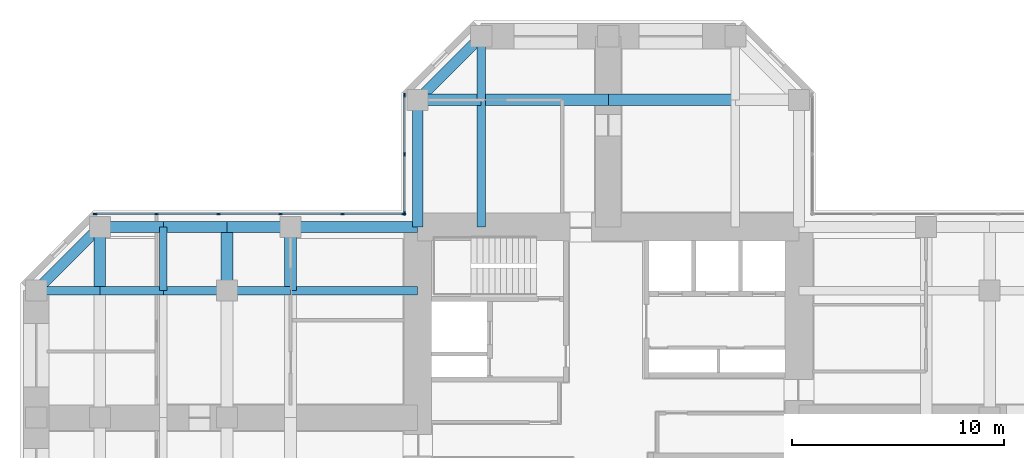
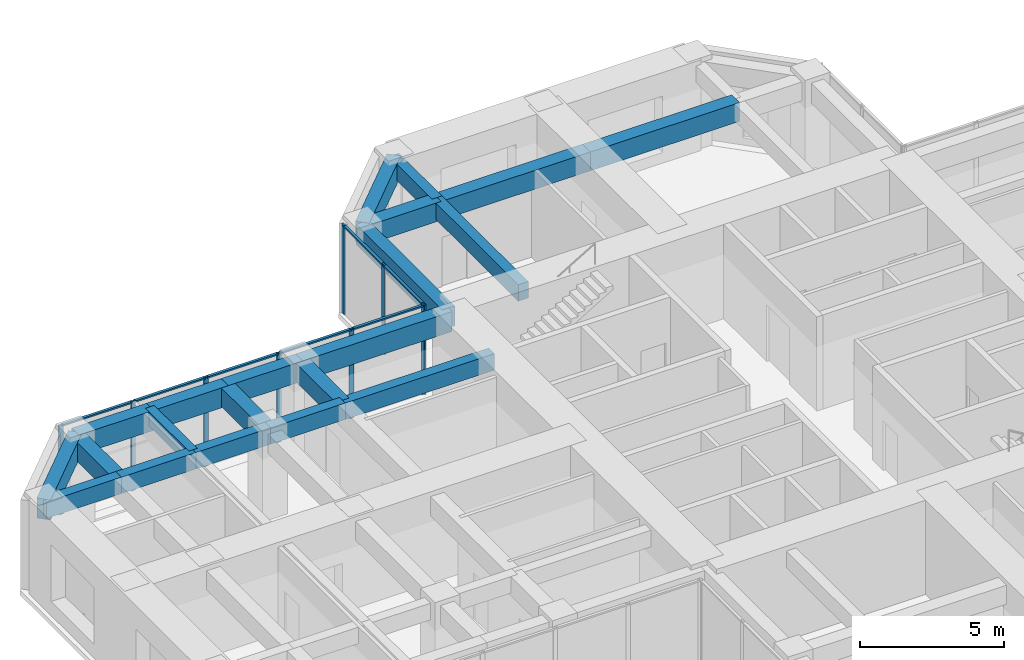
# One storey, part 5 of 13: 21 beams, 16 members, 2 elements without a shape of their own.
"""IFC4 building model written with IfcOpenShell, lengths in metres."""

from ifc_helpers import new_model, si_unit, direction, frame, origin, origin_2d, place, context, subcontext, project, spatial, rectangle, extrude, material, material_profile, profile_set, type_object, element, aggregate, save


model = new_model("IFC4")

# Units and contexts
model_context = context("Model", 3, precision=1e-05, world=origin(), true_north=direction((0.0, 1.0)))
body_context = subcontext(model_context, "Body", "Model", "MODEL_VIEW")
ifc_project = project(units=[si_unit("LENGTHUNIT", "METRE"), si_unit("AREAUNIT", "SQUARE_METRE"), si_unit("VOLUMEUNIT", "CUBIC_METRE"), si_unit("PLANEANGLEUNIT", "RADIAN"), si_unit("MASSUNIT", "GRAM", prefix="KILO")], contexts=[model_context])

# Site, building, storey
site_placement = place(None, origin())
site = spatial("IfcSite", under=ifc_project, at=site_placement, CompositionType="ELEMENT")
building_placement = place(site_placement, origin())
building = spatial("IfcBuilding", under=site, at=building_placement, Name="Torre Cruceta", CompositionType="ELEMENT")
storey_placement = place(building_placement, frame((0.0, 0.0, 124.5)))
storey = spatial("IfcBuildingStorey", under=building, at=storey_placement, Name="L30", CompositionType="ELEMENT", Elevation=124.5)

# Beams
ifc_material_1 = material(Name="Concrete G60 (fck 60 MPa)", Category="concrete")
ifc_material_profile_1 = material_profile(ifc_material_1, rectangle(XDim=0.39990234375, YDim=0.699951171875, at=origin_2d()), Name="RC 400X700")
ifc_profile_set_1 = profile_set([ifc_material_profile_1], Name="Concrete G60 (fck 60 MPa)")
beam_type_1 = type_object("IfcBeamType", Name="COLUMN LINE BEAM RC 400X700", PredefinedType="BEAM", material=ifc_profile_set_1)
beam_1_placement = place(storey_placement, frame((-6.0, 9.0, 3.449951171875), z_axis=(0.0, 1.0, 0.0), x_axis=(-1.0, 0.0, 0.0)))
element("IfcBeam", 1, at=beam_1_placement, inside=storey, type_object=beam_type_1, Name="LB5 L30 N col+ 1", PredefinedType="BEAM", context=body_context, shape_type="SweptSolid", body=[
    extrude(rectangle(XDim=0.39990234375, YDim=0.699951171875, at=origin_2d()), origin(), (0.0, 0.0, 1.0), 6.0),
])
beam_2_placement = place(storey_placement, frame((-6.0, 15.0, 3.449951171875), z_axis=(0.0, 1.0, 0.0), x_axis=(-1.0, 0.0, 0.0)))
element("IfcBeam", 2, at=beam_2_placement, inside=storey, type_object=beam_type_1, Name="LB5 L30 N col+ 2", PredefinedType="BEAM", context=body_context, shape_type="SweptSolid", body=[
    extrude(rectangle(XDim=0.39990234375, YDim=0.699951171875, at=origin_2d()), origin(), (0.0, 0.0, 1.0), 3.0),
])
beam_3_placement = place(storey_placement, frame((-9.0, 6.0, 3.449951171875), z_axis=(-1.0, 0.0, 0.0), x_axis=(0.0, -1.0, 0.0)))
element("IfcBeam", 3, at=beam_3_placement, inside=storey, type_object=beam_type_1, Name="LB5 L30 W col- 1", PredefinedType="BEAM", context=body_context, shape_type="SweptSolid", body=[
    extrude(rectangle(XDim=0.39990234375, YDim=0.699951171875, at=origin_2d()), origin(), (0.0, 0.0, 1.0), 6.0),
])
for number, where, z_axis, x_axis, name in (
    (4, (-15.0, 6.0, 3.449951171875), (-1.0, 0.0, 0.0), (0.0, -1.0, 0.0), "LB5 L30 W col- 2"),
    (5, (-18.0, 6.0, 3.449951171875), (-1.0, 0.0, 0.0), (0.0, -1.0, 0.0), "LB5 L30 W col- 3"),
    (6, (-21.0, 6.0, 3.449951171875), (-1.0, 0.0, 0.0), (0.0, -1.0, 0.0), "LB5 L30 W col- 4"),
    (7, (-24.0, 6.0, 3.449951171875), (-1.0, 0.0, 0.0), (0.0, -1.0, 0.0), "LB5 L30 W col- 5"),
):
    element("IfcBeam", number, at=place(storey_placement, frame(where, z_axis=z_axis, x_axis=x_axis)), inside=storey, type_object=beam_type_1, Name=name, PredefinedType="BEAM", context=body_context, shape_type="SweptSolid", body=[
        extrude(rectangle(XDim=0.39990234375, YDim=0.699951171875, at=origin_2d()), origin(), (0.0, 0.0, 1.0), 3.0),
    ])
ifc_material_2 = material(Name="Concrete G60 (fck 60 MPa)", Category="concrete")
ifc_material_profile_2 = material_profile(ifc_material_2, rectangle(XDim=0.550048828125, YDim=0.800048828125, at=origin_2d()), Name="RC 550X800")
ifc_profile_set_2 = profile_set([ifc_material_profile_2], Name="Concrete G60 (fck 60 MPa)")
beam_type_2 = type_object("IfcBeamType", Name="CROSS BEAM RC 550X800", PredefinedType="BEAM", material=ifc_profile_set_2)
for number, where, z_axis, x_axis, name in (
    (8, (6.0, 15.0, 3.39990234375), (-1.0, 0.0, 0.0), (0.0, -1.0, 0.0), "GB5 L30 N cross15 2"),
    (9, (0.0, 15.0, 3.39990234375), (-1.0, 0.0, 0.0), (0.0, -1.0, 0.0), "GB5 L30 N cross15 3"),
):
    element("IfcBeam", number, at=place(storey_placement, frame(where, z_axis=z_axis, x_axis=x_axis)), inside=storey, type_object=beam_type_2, Name=name, PredefinedType="BEAM", context=body_context, shape_type="SweptSolid", body=[
        extrude(rectangle(XDim=0.550048828125, YDim=0.800048828125, at=origin_2d()), origin(), (0.0, 0.0, 1.0), 6.0),
    ])
for number, where, z_axis, x_axis, name in (
    (10, (-6.0, 15.0, 3.39990234375), (-1.0, 0.0, 0.0), (0.0, -1.0, 0.0), "GB5 L30 N cross15 4"),
    (11, (-15.0, 9.0, 3.39990234375), (0.0, -1.0, 0.0), (1.0, 0.0, 0.0), "GB5 L30 W cross15 1"),
    (12, (-18.0, 9.0, 3.39990234375), (0.0, -1.0, 0.0), (1.0, 0.0, 0.0), "GB5 L30 W cross18 1"),
    (13, (-24.0, 9.0, 3.39990234375), (0.0, -1.0, 0.0), (1.0, 0.0, 0.0), "GB5 L30 W cross24 1"),
):
    element("IfcBeam", number, at=place(storey_placement, frame(where, z_axis=z_axis, x_axis=x_axis)), inside=storey, type_object=beam_type_2, Name=name, PredefinedType="BEAM", context=body_context, shape_type="SweptSolid", body=[
        extrude(rectangle(XDim=0.550048828125, YDim=0.800048828125, at=origin_2d()), origin(), (0.0, 0.0, 1.0), 3.0),
    ])

# Curtain wall, members
ifc_material_3 = material(Name="Aluminium unitised curtain wall", Category="aluminium")
curtain_wall_type = type_object("IfcCurtainWallType", Name="CURTAIN WALL CW-B OFFICE MID RISE", PredefinedType="USERDEFINED", material=ifc_material_3)
curtain_wall_1_placement = place(storey_placement, origin())
curtain_wall_1 = element("IfcCurtainWall", 14, at=curtain_wall_1_placement, inside=storey, type_object=curtain_wall_type, Name="CW-B L30 N side 09", ObjectType="UNITISED", PredefinedType="USERDEFINED")
ifc_material_4 = material(Name="Aluminium mullion", Category="aluminium")
ifc_material_profile_3 = material_profile(ifc_material_4, rectangle(XDim=0.06494140625, YDim=0.179931640625, at=origin_2d()), Name="AL 65X180")
ifc_profile_set_3 = profile_set([ifc_material_profile_3], Name="Aluminium mullion")
member_type_1 = type_object("IfcMemberType", Name="CW-B MULLION 65X180", PredefinedType="MULLION", material=ifc_profile_set_3)
member_1_placement = place(storey_placement, frame((-9.6201171875, 15.224365234375, 0.0), z_axis=(0.0, 0.0, 1.0), x_axis=(1.0, 0.0, 0.0)))
member_1 = element("IfcMember", 15, at=member_1_placement, type_object=member_type_1, Name="CW-B mullion 1", PredefinedType="MULLION", context=body_context, shape_type="SweptSolid", body=[
    extrude(rectangle(XDim=0.06494140625, YDim=0.179931640625, at=origin_2d()), origin(), (0.0, 0.0, 1.0), 3.800048828125),
])
member_2_placement = place(storey_placement, frame((-9.6201171875, 12.4384765625, 0.0), z_axis=(0.0, 0.0, 1.0), x_axis=(1.0, 0.0, 0.0)))
member_2 = element("IfcMember", 16, at=member_2_placement, type_object=member_type_1, Name="CW-B mullion 2", PredefinedType="MULLION", context=body_context, shape_type="SweptSolid", body=[
    extrude(rectangle(XDim=0.06494140625, YDim=0.179931640625, at=origin_2d()), origin(), (0.0, 0.0, 1.0), 3.800048828125),
])
member_3_placement = place(storey_placement, frame((-9.6201171875, 9.652587890625, 0.0), z_axis=(0.0, 0.0, 1.0), x_axis=(1.0, 0.0, 0.0)))
member_3 = element("IfcMember", 17, at=member_3_placement, type_object=member_type_1, Name="CW-B mullion 3", PredefinedType="MULLION", context=body_context, shape_type="SweptSolid", body=[
    extrude(rectangle(XDim=0.06494140625, YDim=0.179931640625, at=origin_2d()), origin(), (0.0, 0.0, 1.0), 3.800048828125),
])

curtain_wall_2_placement = place(storey_placement, origin())
curtain_wall_2 = element("IfcCurtainWall", 18, at=curtain_wall_2_placement, inside=storey, type_object=curtain_wall_type, Name="CW-B L30 W side 10", ObjectType="UNITISED", PredefinedType="USERDEFINED")
member_4_placement = place(storey_placement, frame((-9.652587890625, 9.6201171875, 0.0), z_axis=(0.0, 0.0, 1.0), x_axis=(0.0, -1.0, 0.0)))
member_4 = element("IfcMember", 19, at=member_4_placement, type_object=member_type_1, Name="CW-B mullion 1", PredefinedType="MULLION", context=body_context, shape_type="SweptSolid", body=[
    extrude(rectangle(XDim=0.06494140625, YDim=0.179931640625, at=origin_2d()), origin(), (0.0, 0.0, 1.0), 3.800048828125),
])
member_5_placement = place(storey_placement, frame((-12.54736328125, 9.6201171875, 0.0), z_axis=(0.0, 0.0, 1.0), x_axis=(0.0, -1.0, 0.0)))
member_5 = element("IfcMember", 20, at=member_5_placement, type_object=member_type_1, Name="CW-B mullion 2", PredefinedType="MULLION", context=body_context, shape_type="SweptSolid", body=[
    extrude(rectangle(XDim=0.06494140625, YDim=0.179931640625, at=origin_2d()), origin(), (0.0, 0.0, 1.0), 3.800048828125),
])
member_6_placement = place(storey_placement, frame((-15.474609375, 9.6201171875, 0.0), z_axis=(0.0, 0.0, 1.0), x_axis=(0.0, -1.0, 0.0)))
member_6 = element("IfcMember", 21, at=member_6_placement, type_object=member_type_1, Name="CW-B mullion 3", PredefinedType="MULLION", context=body_context, shape_type="SweptSolid", body=[
    extrude(rectangle(XDim=0.06494140625, YDim=0.179931640625, at=origin_2d()), origin(), (0.0, 0.0, 1.0), 3.800048828125),
])
member_7_placement = place(storey_placement, frame((-18.402099609375, 9.6201171875, 0.0), z_axis=(0.0, 0.0, 1.0), x_axis=(0.0, -1.0, 0.0)))
member_7 = element("IfcMember", 22, at=member_7_placement, type_object=member_type_1, Name="CW-B mullion 4", PredefinedType="MULLION", context=body_context, shape_type="SweptSolid", body=[
    extrude(rectangle(XDim=0.06494140625, YDim=0.179931640625, at=origin_2d()), origin(), (0.0, 0.0, 1.0), 3.800048828125),
])
member_8_placement = place(storey_placement, frame((-21.329345703125, 9.6201171875, 0.0), z_axis=(0.0, 0.0, 1.0), x_axis=(0.0, -1.0, 0.0)))
member_8 = element("IfcMember", 23, at=member_8_placement, type_object=member_type_1, Name="CW-B mullion 5", PredefinedType="MULLION", context=body_context, shape_type="SweptSolid", body=[
    extrude(rectangle(XDim=0.06494140625, YDim=0.179931640625, at=origin_2d()), origin(), (0.0, 0.0, 1.0), 3.800048828125),
])
member_9_placement = place(storey_placement, frame((-24.224365234375, 9.6201171875, 0.0), z_axis=(0.0, 0.0, 1.0), x_axis=(0.0, -1.0, 0.0)))
member_9 = element("IfcMember", 24, at=member_9_placement, type_object=member_type_1, Name="CW-B mullion 6", PredefinedType="MULLION", context=body_context, shape_type="SweptSolid", body=[
    extrude(rectangle(XDim=0.06494140625, YDim=0.179931640625, at=origin_2d()), origin(), (0.0, 0.0, 1.0), 3.800048828125),
])

# Member
ifc_material_5 = material(Name="Aluminium transom", Category="aluminium")
ifc_material_profile_4 = material_profile(ifc_material_5, rectangle(XDim=0.110107421875, YDim=0.06494140625, at=origin_2d()), Name="AL 110X65")
ifc_profile_set_4 = profile_set([ifc_material_profile_4], Name="Aluminium transom")
member_type_2 = type_object("IfcMemberType", Name="CW-B TRANSOM 65X110", PredefinedType="USERDEFINED", material=ifc_profile_set_4)
member_10_placement = place(storey_placement, frame((-9.6201171875, 15.19189453125, 3.767578125), z_axis=(0.0, -1.0, 0.0), x_axis=(1.0, 0.0, 0.0)))
member_10 = element("IfcMember", 25, at=member_10_placement, type_object=member_type_2, Name="CW-B transom 1", ObjectType="TRANSOM", PredefinedType="USERDEFINED", context=body_context, shape_type="SweptSolid", body=[
    extrude(rectangle(XDim=0.110107421875, YDim=0.06494140625, at=origin_2d()), origin(), (0.0, 0.0, 1.0), 2.720947265625),
])

member_11_placement = place(storey_placement, frame((-9.6201171875, 12.406005859375, 3.767578125), z_axis=(0.0, -1.0, 0.0), x_axis=(1.0, 0.0, 0.0)))
member_11 = element("IfcMember", 26, at=member_11_placement, type_object=member_type_2, Name="CW-B transom 2", ObjectType="TRANSOM", PredefinedType="USERDEFINED", context=body_context, shape_type="SweptSolid", body=[
    extrude(rectangle(XDim=0.110107421875, YDim=0.06494140625, at=origin_2d()), origin(), (0.0, 0.0, 1.0), 2.720947265625),
])

aggregate(curtain_wall_1, [member_1, member_2, member_3, member_10, member_11])

member_12_placement = place(storey_placement, frame((-9.68505859375, 9.6201171875, 3.767578125), z_axis=(-1.0, 0.0, 0.0), x_axis=(0.0, -1.0, 0.0)))
member_12 = element("IfcMember", 27, at=member_12_placement, type_object=member_type_2, Name="CW-B transom 1", ObjectType="TRANSOM", PredefinedType="USERDEFINED", context=body_context, shape_type="SweptSolid", body=[
    extrude(rectangle(XDim=0.110107421875, YDim=0.06494140625, at=origin_2d()), origin(), (0.0, 0.0, 1.0), 2.829833984375),
])

member_13_placement = place(storey_placement, frame((-12.579833984375, 9.6201171875, 3.767578125), z_axis=(-1.0, 0.0, 0.0), x_axis=(0.0, -1.0, 0.0)))
member_13 = element("IfcMember", 28, at=member_13_placement, type_object=member_type_2, Name="CW-B transom 2", ObjectType="TRANSOM", PredefinedType="USERDEFINED", context=body_context, shape_type="SweptSolid", body=[
    extrude(rectangle(XDim=0.110107421875, YDim=0.06494140625, at=origin_2d()), origin(), (0.0, 0.0, 1.0), 2.8623046875),
])

member_14_placement = place(storey_placement, frame((-15.50732421875, 9.6201171875, 3.767578125), z_axis=(-1.0, 0.0, 0.0), x_axis=(0.0, -1.0, 0.0)))
member_14 = element("IfcMember", 29, at=member_14_placement, type_object=member_type_2, Name="CW-B transom 3", ObjectType="TRANSOM", PredefinedType="USERDEFINED", context=body_context, shape_type="SweptSolid", body=[
    extrude(rectangle(XDim=0.110107421875, YDim=0.06494140625, at=origin_2d()), origin(), (0.0, 0.0, 1.0), 2.8623046875),
])

member_15_placement = place(storey_placement, frame((-18.4345703125, 9.6201171875, 3.767578125), z_axis=(-1.0, 0.0, 0.0), x_axis=(0.0, -1.0, 0.0)))
member_15 = element("IfcMember", 30, at=member_15_placement, type_object=member_type_2, Name="CW-B transom 4", ObjectType="TRANSOM", PredefinedType="USERDEFINED", context=body_context, shape_type="SweptSolid", body=[
    extrude(rectangle(XDim=0.110107421875, YDim=0.06494140625, at=origin_2d()), origin(), (0.0, 0.0, 1.0), 2.8623046875),
])

member_16_placement = place(storey_placement, frame((-21.362060546875, 9.6201171875, 3.767578125), z_axis=(-1.0, 0.0, 0.0), x_axis=(0.0, -1.0, 0.0)))
member_16 = element("IfcMember", 31, at=member_16_placement, type_object=member_type_2, Name="CW-B transom 5", ObjectType="TRANSOM", PredefinedType="USERDEFINED", context=body_context, shape_type="SweptSolid", body=[
    extrude(rectangle(XDim=0.110107421875, YDim=0.06494140625, at=origin_2d()), origin(), (0.0, 0.0, 1.0), 2.829833984375),
])

aggregate(curtain_wall_2, [member_4, member_5, member_6, member_7, member_8, member_9, member_12, member_13, member_14, member_15, member_16])

# Beams
ifc_material_6 = material(Name="Concrete G60 (fck 60 MPa)", Category="concrete")
ifc_material_profile_5 = material_profile(ifc_material_6, rectangle(XDim=0.35009765625, YDim=0.60009765625, at=origin_2d()), Name="RC 350X600")
ifc_profile_set_5 = profile_set([ifc_material_profile_5], Name="Concrete G60 (fck 60 MPa)")
beam_type_3 = type_object("IfcBeamType", Name="SECONDARY BEAM RC 350X600", PredefinedType="JOIST", material=ifc_profile_set_5)
beam_4_placement = place(storey_placement, frame((-21.0, 9.0, 3.5), z_axis=(0.0, -1.0, 0.0), x_axis=(1.0, 0.0, 0.0)))
element("IfcBeam", 32, at=beam_4_placement, inside=storey, type_object=beam_type_3, Name="JB5 L30 W sec21 1", PredefinedType="JOIST", context=body_context, shape_type="SweptSolid", body=[
    extrude(rectangle(XDim=0.35009765625, YDim=0.60009765625, at=origin_2d()), origin(), (0.0, 0.0, 1.0), 3.0),
])
ifc_material_7 = material(Name="Concrete G60 (fck 60 MPa)", Category="concrete")
ifc_material_profile_6 = material_profile(ifc_material_7, rectangle(XDim=0.5, YDim=0.85009765625, at=origin_2d()), Name="RC 500X850")
ifc_profile_set_6 = profile_set([ifc_material_profile_6], Name="Concrete G60 (fck 60 MPa)")
beam_type_4 = type_object("IfcBeamType", Name="SPANDREL BEAM RC 500X850", PredefinedType="SPANDREL", material=ifc_profile_set_6)
beam_5_placement = place(storey_placement, frame((-9.0, 9.0, 3.375), z_axis=(0.0, 1.0, 0.0), x_axis=(-1.0, 0.0, 0.0)))
element("IfcBeam", 33, at=beam_5_placement, inside=storey, type_object=beam_type_4, Name="SB5 L30 N side+ 1", PredefinedType="SPANDREL", context=body_context, shape_type="SweptSolid", body=[
    extrude(rectangle(XDim=0.5, YDim=0.85009765625, at=origin_2d()), origin(), (0.0, 0.0, 1.0), 6.0),
])
beam_6_placement = place(storey_placement, frame((-9.0, 15.0, 3.375), z_axis=(0.707106781187, 0.707106781187, 0.0), x_axis=(-0.707106781187, 0.707106781187, 0.0)))
element("IfcBeam", 34, at=beam_6_placement, inside=storey, type_object=beam_type_4, Name="SB5 L30 N side+ 2", PredefinedType="SPANDREL", context=body_context, shape_type="SweptSolid", body=[
    extrude(rectangle(XDim=0.5, YDim=0.85009765625, at=origin_2d()), origin(), (0.0, 0.0, 1.0), 4.24267578125),
])
beam_7_placement = place(storey_placement, frame((-9.0, 9.0, 3.375), z_axis=(-1.0, 0.0, 0.0), x_axis=(0.0, -1.0, 0.0)))
element("IfcBeam", 35, at=beam_7_placement, inside=storey, type_object=beam_type_4, Name="SB5 L30 W side- 1", PredefinedType="SPANDREL", context=body_context, shape_type="SweptSolid", body=[
    extrude(rectangle(XDim=0.5, YDim=0.85009765625, at=origin_2d()), origin(), (0.0, 0.0, 1.0), 6.0),
])
for number, where, z_axis, x_axis, name in (
    (36, (-15.0, 9.0, 3.375), (-1.0, 0.0, 0.0), (0.0, -1.0, 0.0), "SB5 L30 W side- 2"),
    (37, (-18.0, 9.0, 3.375), (-1.0, 0.0, 0.0), (0.0, -1.0, 0.0), "SB5 L30 W side- 3"),
    (38, (-21.0, 9.0, 3.375), (-1.0, 0.0, 0.0), (0.0, -1.0, 0.0), "SB5 L30 W side- 4"),
):
    element("IfcBeam", number, at=place(storey_placement, frame(where, z_axis=z_axis, x_axis=x_axis)), inside=storey, type_object=beam_type_4, Name=name, PredefinedType="SPANDREL", context=body_context, shape_type="SweptSolid", body=[
        extrude(rectangle(XDim=0.5, YDim=0.85009765625, at=origin_2d()), origin(), (0.0, 0.0, 1.0), 3.0),
    ])
beam_8_placement = place(storey_placement, frame((-24.0, 9.0, 3.375), z_axis=(-0.707106781187, -0.707106781187, 0.0), x_axis=(0.707106781187, -0.707106781187, 0.0)))
element("IfcBeam", 39, at=beam_8_placement, inside=storey, type_object=beam_type_4, Name="SB5 L30 W side- 5", PredefinedType="SPANDREL", context=body_context, shape_type="SweptSolid", body=[
    extrude(rectangle(XDim=0.5, YDim=0.85009765625, at=origin_2d()), origin(), (0.0, 0.0, 1.0), 4.24267578125),
])

save(model, "model.ifc")
